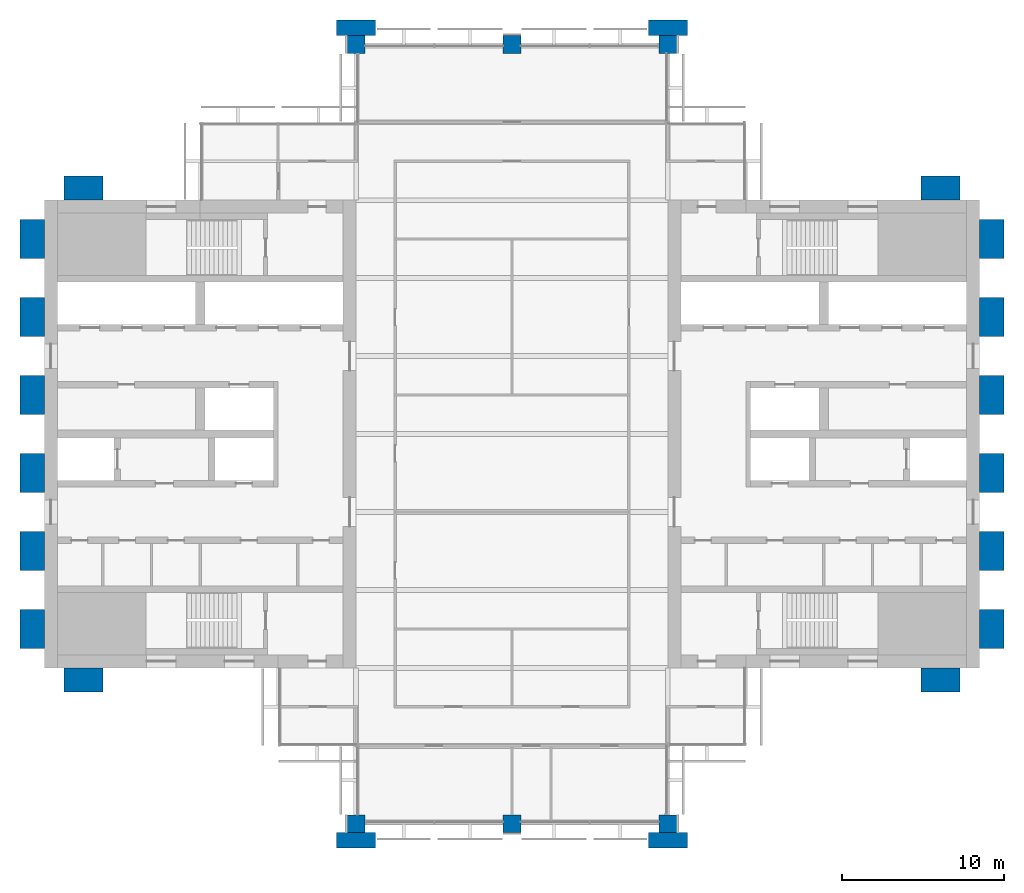
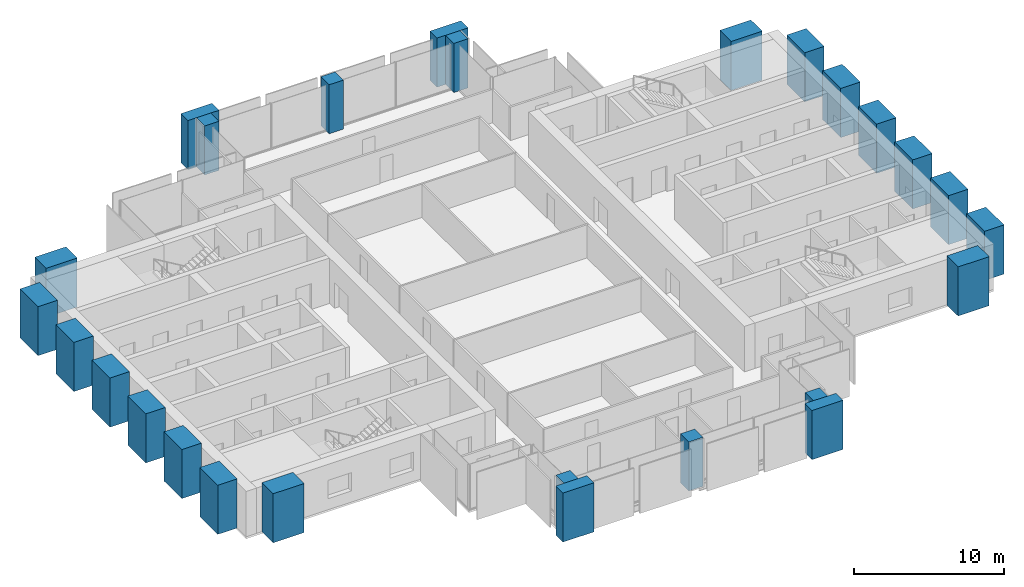
# One storey, part 1 of 13: 26 columns.
"""IFC4 building model written with IfcOpenShell, lengths in metres."""

from ifc_helpers import new_model, si_unit, direction, frame, origin, origin_2d, place, context, subcontext, project, spatial, rectangle, extrude, material, material_profile, profile_set, type_object, element, save


model = new_model("IFC4")

# Units and contexts
model_context = context("Model", 3, precision=1e-05, world=origin(), true_north=direction((0.0, 1.0)))
body_context = subcontext(model_context, "Body", "Model", "MODEL_VIEW")
ifc_project = project(units=[si_unit("LENGTHUNIT", "METRE"), si_unit("AREAUNIT", "SQUARE_METRE"), si_unit("VOLUMEUNIT", "CUBIC_METRE"), si_unit("PLANEANGLEUNIT", "RADIAN"), si_unit("MASSUNIT", "GRAM", prefix="KILO")], contexts=[model_context])

# Site, building, storey
site_placement = place(None, origin())
site = spatial("IfcSite", under=ifc_project, at=site_placement, CompositionType="ELEMENT")
building_placement = place(site_placement, origin())
building = spatial("IfcBuilding", under=site, at=building_placement, Name="Baori Bourse Tower", CompositionType="ELEMENT")
storey_placement = place(building_placement, frame((0.0, 0.0, 261.199951171875)))
storey = spatial("IfcBuildingStorey", under=building, at=storey_placement, Name="L58", CompositionType="ELEMENT", Elevation=261.199951171875)

# Columns
ifc_material_1 = material(Name="Concrete f'c 60 MPa", Category="concrete")
ifc_material_profile_1 = material_profile(ifc_material_1, rectangle(XDim=2.39990234375, YDim=0.949951171875, at=origin_2d()), Name="RC 2400x950")
ifc_profile_set_1 = profile_set([ifc_material_profile_1], Name="Concrete f'c 60 MPa")
column_type_1 = type_object("IfcColumnType", Name="FN3 Brick pilaster 2400x950", PredefinedType="PILASTER", material=ifc_profile_set_1)
for number, where, z_axis, x_axis, name in (
    (1, (19.199951171875, -1.02490234375, 0.0), (0.0, 0.0, 1.0), (1.0, 0.0, 0.0), "Brick pilaster L58 17"),
    (2, (38.39990234375, -1.02490234375, 0.0), (0.0, 0.0, 1.0), (1.0, 0.0, 0.0), "Brick pilaster L58 18"),
    (3, (19.199951171875, 49.02490234375, 0.0), (0.0, 0.0, 1.0), (1.0, 0.0, 0.0), "Brick pilaster L58 19"),
    (4, (38.39990234375, 49.02490234375, 0.0), (0.0, 0.0, 1.0), (1.0, 0.0, 0.0), "Brick pilaster L58 20"),
):
    element("IfcColumn", number, at=place(storey_placement, frame(where, z_axis=z_axis, x_axis=x_axis)), inside=storey, type_object=column_type_1, Name=name, PredefinedType="PILASTER", context=body_context, shape_type="SweptSolid", body=[
        extrude(rectangle(XDim=2.39990234375, YDim=0.949951171875, at=origin_2d()), origin(), (0.0, 0.0, 1.0), 4.0),
    ])
ifc_material_2 = material(Name="Concrete f'c 60 MPa", Category="concrete")
ifc_material_profile_2 = material_profile(ifc_material_2, rectangle(XDim=2.39990234375, YDim=1.5, at=origin_2d()), Name="RC 2400x1500")
ifc_profile_set_2 = profile_set([ifc_material_profile_2], Name="Concrete f'c 60 MPa")
column_type_2 = type_object("IfcColumnType", Name="FN4 Brick flank pilaster 2400x1500", PredefinedType="PILASTER", material=ifc_profile_set_2)
for number, where, z_axis, x_axis, name in (
    (5, (55.199951171875, 8.85009765625, 0.0), (0.0, 0.0, 1.0), (1.0, 0.0, 0.0), "Brick pilaster L58 1"),
    (6, (58.35009765625, 12.0, 0.0), (0.0, 0.0, 1.0), (0.0, 1.0, 0.0), "Brick pilaster L58 2"),
    (7, (58.35009765625, 16.800048828125, 0.0), (0.0, 0.0, 1.0), (0.0, 1.0, 0.0), "Brick pilaster L58 3"),
    (8, (58.35009765625, 21.60009765625, 0.0), (0.0, 0.0, 1.0), (0.0, 1.0, 0.0), "Brick pilaster L58 4"),
    (9, (58.35009765625, 26.39990234375, 0.0), (0.0, 0.0, 1.0), (0.0, 1.0, 0.0), "Brick pilaster L58 5"),
    (10, (58.35009765625, 31.199951171875, 0.0), (0.0, 0.0, 1.0), (0.0, 1.0, 0.0), "Brick pilaster L58 6"),
    (11, (58.35009765625, 36.0, 0.0), (0.0, 0.0, 1.0), (0.0, 1.0, 0.0), "Brick pilaster L58 7"),
    (12, (55.199951171875, 39.14990234375, 0.0), (0.0, 0.0, 1.0), (1.0, 0.0, 0.0), "Brick pilaster L58 8"),
    (13, (2.39990234375, 39.14990234375, 0.0), (0.0, 0.0, 1.0), (1.0, 0.0, 0.0), "Brick pilaster L58 9"),
    (14, (-0.75, 12.0, 0.0), (0.0, 0.0, 1.0), (0.0, 1.0, 0.0), "Brick pilaster L58 10"),
    (15, (-0.75, 16.800048828125, 0.0), (0.0, 0.0, 1.0), (0.0, 1.0, 0.0), "Brick pilaster L58 11"),
    (16, (-0.75, 21.60009765625, 0.0), (0.0, 0.0, 1.0), (0.0, 1.0, 0.0), "Brick pilaster L58 12"),
    (17, (-0.75, 26.39990234375, 0.0), (0.0, 0.0, 1.0), (0.0, 1.0, 0.0), "Brick pilaster L58 13"),
    (18, (-0.75, 31.199951171875, 0.0), (0.0, 0.0, 1.0), (0.0, 1.0, 0.0), "Brick pilaster L58 14"),
    (19, (-0.75, 36.0, 0.0), (0.0, 0.0, 1.0), (0.0, 1.0, 0.0), "Brick pilaster L58 15"),
    (20, (2.39990234375, 8.85009765625, 0.0), (0.0, 0.0, 1.0), (1.0, 0.0, 0.0), "Brick pilaster L58 16"),
):
    element("IfcColumn", number, at=place(storey_placement, frame(where, z_axis=z_axis, x_axis=x_axis)), inside=storey, type_object=column_type_2, Name=name, PredefinedType="PILASTER", context=body_context, shape_type="SweptSolid", body=[
        extrude(rectangle(XDim=2.39990234375, YDim=1.5, at=origin_2d()), origin(), (0.0, 0.0, 1.0), 4.0),
    ])
ifc_material_3 = material(Name="Concrete f'c 50 MPa", Category="concrete")
ifc_material_profile_3 = material_profile(ifc_material_3, rectangle(XDim=1.10009765625, YDim=1.10009765625, at=origin_2d()), Name="RC 1100x1100")
ifc_profile_set_3 = profile_set([ifc_material_profile_3], Name="Concrete f'c 50 MPa")
column_type_3 = type_object("IfcColumnType", Name="Perimeter column 50 RC 1100x1100", PredefinedType="COLUMN", material=ifc_profile_set_3)
for number, where, z_axis, x_axis, name in (
    (21, (19.199951171875, 0.0, 0.0), (0.0, 0.0, 1.0), (1.0, 0.0, 0.0), "Perimeter column L58"),
    (22, (28.800048828125, 0.0, 0.0), (0.0, 0.0, 1.0), (1.0, 0.0, 0.0), "Perimeter column L58"),
    (23, (38.39990234375, 0.0, 0.0), (0.0, 0.0, 1.0), (1.0, 0.0, 0.0), "Perimeter column L58"),
    (24, (19.199951171875, 48.0, 0.0), (0.0, 0.0, 1.0), (1.0, 0.0, 0.0), "Perimeter column L58"),
    (25, (28.800048828125, 48.0, 0.0), (0.0, 0.0, 1.0), (1.0, 0.0, 0.0), "Perimeter column L58"),
    (26, (38.39990234375, 48.0, 0.0), (0.0, 0.0, 1.0), (1.0, 0.0, 0.0), "Perimeter column L58"),
):
    element("IfcColumn", number, at=place(storey_placement, frame(where, z_axis=z_axis, x_axis=x_axis)), inside=storey, type_object=column_type_3, Name=name, PredefinedType="COLUMN", context=body_context, shape_type="SweptSolid", body=[
        extrude(rectangle(XDim=1.10009765625, YDim=1.10009765625, at=origin_2d()), origin(), (0.0, 0.0, 1.0), 4.0),
    ])

save(model, "model.ifc")
